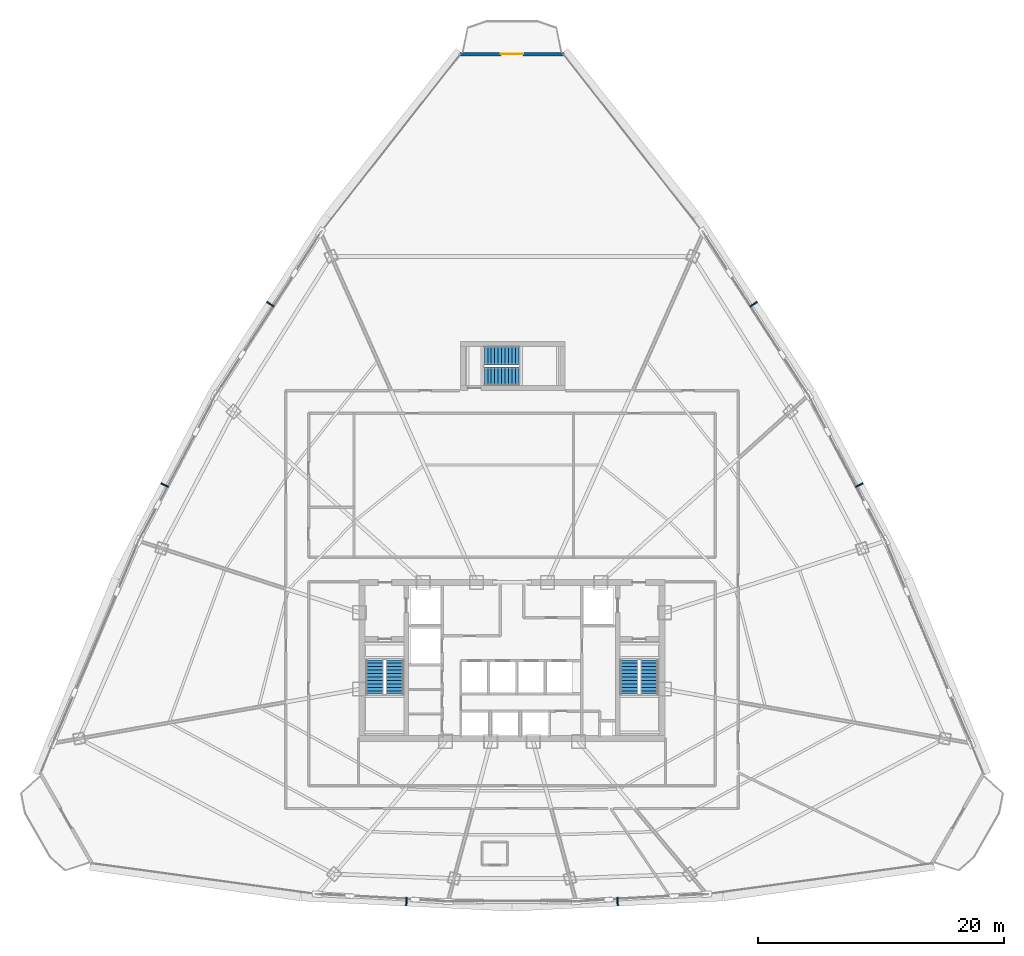
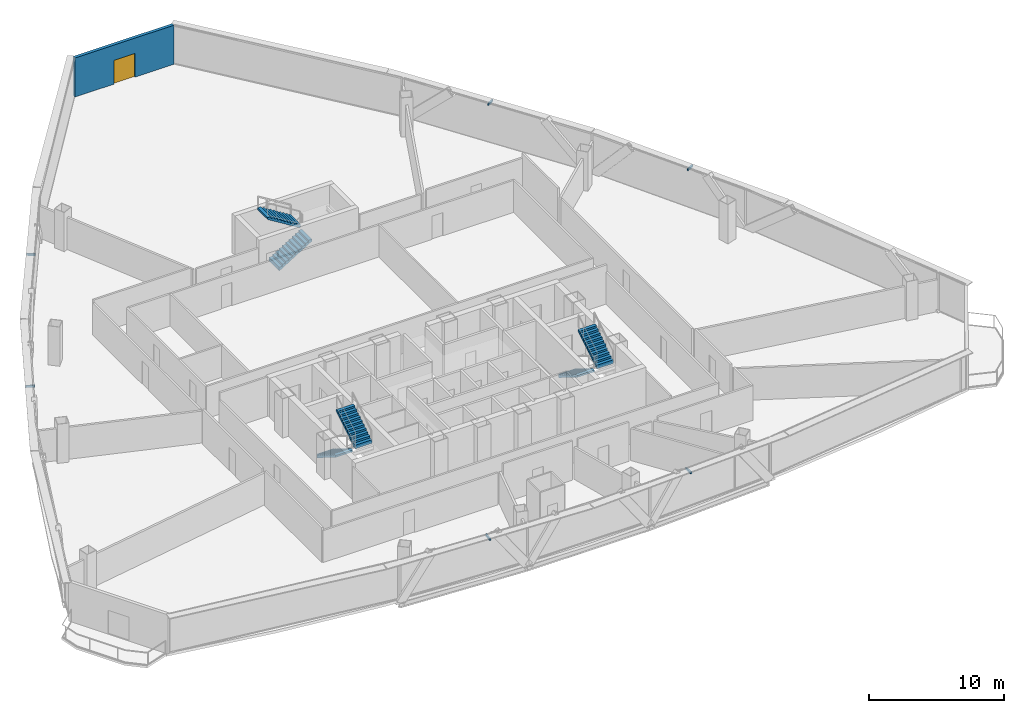
# One storey, part 33 of 37: 6 discrete accessories, 6 stair flights, 1 door, 1 wall, 1 opening, 3 elements without a shape of their own.
"""IFC4 building model written with IfcOpenShell, lengths in metres."""

from ifc_helpers import new_model, si_unit, direction, frame, frame_2d, origin, origin_with_axes, origin_2d, place, context, subcontext, project, spatial, polyline, rectangle, outline, extrude, source, transform, mapped, material, layer, layer_set, type_object, element, fill, aggregate, save


model = new_model("IFC4")

# Units and contexts
model_context = context("Model", 3, precision=1e-05, world=origin(), true_north=direction((0.0, 1.0)))
body_context = subcontext(model_context, "Body", "Model", "MODEL_VIEW")
ifc_project = project(units=[si_unit("LENGTHUNIT", "METRE"), si_unit("AREAUNIT", "SQUARE_METRE"), si_unit("VOLUMEUNIT", "CUBIC_METRE"), si_unit("PLANEANGLEUNIT", "RADIAN"), si_unit("MASSUNIT", "GRAM", prefix="KILO"), si_unit("THERMODYNAMICTEMPERATUREUNIT", "KELVIN"), si_unit("POWERUNIT", "WATT")], contexts=[model_context])

# Site, building, storey
site_placement = place(None, origin())
site = spatial("IfcSite", under=ifc_project, at=site_placement, CompositionType="ELEMENT")
building_placement = place(site_placement, origin())
building = spatial("IfcBuilding", under=site, at=building_placement, Name="Yunzhuo Pagoda Commons", CompositionType="ELEMENT")
storey_placement = place(building_placement, frame((0.0, 0.0, 192.360107421875)))
storey = spatial("IfcBuildingStorey", under=building, at=storey_placement, Name="L48", CompositionType="ELEMENT", Elevation=192.360107421875)

# Wall, opening, door
ifc_material_1 = material(Name="Precast concrete C40", Category="concrete")
ifc_layer = layer(ifc_material_1, 0.260009765625)
ifc_layer_set = layer_set([ifc_layer], Name="Precast concrete C40")
wall_type = type_object("IfcWallType", Name="W-BAL1 Corner Balcony Threshold Wall 260", PredefinedType="STANDARD", material=ifc_layer_set)
wall_placement = place(storey_placement, frame((52.25, 83.16748046875, 0.0), z_axis=(0.0, 0.0, 1.0), x_axis=(-1.0, 0.0, 0.0)))
wall = element("IfcWall", 1, at=wall_placement, inside=storey, type_object=wall_type, Name="L48 corner balcony wall V3", PredefinedType="STANDARD", context=body_context, shape_type="SweptSolid", body=[
    extrude(rectangle(XDim=8.5, YDim=0.260009765625, at=frame_2d((4.25, 0.0))), origin(), (0.0, 0.0, 1.0), 3.539794921875),
])
opening_placement = place(wall_placement, frame((3.35009765625, 0.0, 0.0)))
opening = element("IfcOpeningElement", 2, at=opening_placement, cuts=wall, Name="Opening D-BAL1", PredefinedType="OPENING", context=body_context, shape_type="SweptSolid", body=[
    extrude(rectangle(XDim=1.800048828125, YDim=2.14990234375, at=frame_2d((0.89990234375, 1.074951171875))), frame((0.0, 0.14013671875, 0.0), z_axis=(0.0, -1.0, 0.0), x_axis=(1.0, 0.0, 0.0)), (0.0, 0.0, 1.0), 0.280029296875),
])
ifc_material_2 = material(Name="Anodized aluminium frame and tempered glazed leaf", Category="aluminium")
door_type = type_object("IfcDoorType", Name="D-BAL1 Corner Balcony Sliding Glazed Door 1800x2150", OperationType="DOUBLE_DOOR_SLIDING", PredefinedType="DOOR", material=ifc_material_2)
shared_shape_1 = source(origin(), body_context, "Body", "SweptSolid", [
    extrude(rectangle(XDim=1.800048828125, YDim=2.14990234375, at=frame_2d((0.89990234375, 1.074951171875))), frame((0.0, 0.02490234375, 0.0), z_axis=(0.0, -1.0, 0.0), x_axis=(1.0, 0.0, 0.0)), (0.0, 0.0, 1.0), 0.050048828125),
])
door_placement = place(opening_placement, origin_with_axes())
door = element("IfcDoor", 3, at=door_placement, inside=storey, type_object=door_type, Name="L48 corner balcony sliding door V3", OperationType="DOUBLE_DOOR_SLIDING", OverallHeight=2.14990234375, OverallWidth=1.800048828125, PredefinedType="DOOR", context=body_context, shape_type="MappedRepresentation", body=[
    mapped(shared_shape_1, transform((0.0, 0.0, 0.0), scale=1.0)),
])
fill(opening, door)

# Stair, stair flights
ifc_material_3 = material(Name="Concrete C40", Category="concrete")
stair_type_1 = type_object("IfcStairType", Name="ST-C1 Core Smokeproof Stair ST1", PredefinedType="HALF_TURN_STAIR", material=ifc_material_3)
stair_1_placement = place(storey_placement, origin())
stair_1 = element("IfcStair", 4, at=stair_1_placement, inside=storey, type_object=stair_type_1, Name="L48 Core smokeproof stair ST1", PredefinedType="HALF_TURN_STAIR")
stair_flight_type_1 = type_object("IfcStairFlightType", Name="STF-C1 Core Stair Flight 1450", PredefinedType="STRAIGHT", material=ifc_material_3)
shared_shape_2 = source(origin(), body_context, "Body", "SweptSolid", [
    extrude(outline(polyline([(0.0, -0.14990234375), (0.0, 0.0), (0.0, 0.172607421875), (0.280029296875, 0.172607421875), (0.280029296875, 0.345458984375), (0.56005859375, 0.345458984375), (0.56005859375, 0.51806640625), (0.840087890625, 0.51806640625), (0.840087890625, 0.69091796875), (1.1201171875, 0.69091796875), (1.1201171875, 0.863525390625), (1.39990234375, 0.863525390625), (1.39990234375, 1.036376953125), (1.679931640625, 1.036376953125), (1.679931640625, 1.208984375), (1.9599609375, 1.208984375), (1.9599609375, 1.3818359375), (2.239990234375, 1.3818359375), (2.239990234375, 1.554443359375), (2.52001953125, 1.554443359375), (2.52001953125, 1.727294921875), (2.800048828125, 1.727294921875), (2.800048828125, 1.89990234375), (2.800048828125, 1.551025390625), (0.285400390625, 0.0), (0.050048828125, -0.14990234375), (0.0, -0.14990234375)])), frame((0.0, 0.72509765625, 0.0), z_axis=(0.0, -1.0, 0.0), x_axis=(1.0, 0.0, 0.0)), (0.0, 0.0, 1.0), 1.449951171875),
])
stair_flight_1_placement = place(storey_placement, frame((36.824951171875, 33.89990234375, 0.0), z_axis=(0.0, 0.0, 1.0), x_axis=(0.0, -1.0, 0.0)))
stair_flight_1 = element("IfcStairFlight", 5, at=stair_flight_1_placement, type_object=stair_flight_type_1, Name="ST1 flight 1", NumberOfRisers=11, NumberOfTreads=10, PredefinedType="STRAIGHT", RiserHeight=0.172727273, TreadLength=0.28, context=body_context, shape_type="MappedRepresentation", body=[
    mapped(shared_shape_2, transform((0.0, 0.0, 0.0), scale=1.0)),
])
stair_flight_2_placement = place(storey_placement, frame((38.47509765625, 31.10009765625, 1.89990234375), z_axis=(0.0, 0.0, 1.0), x_axis=(0.0, 1.0, 0.0)))
stair_flight_2 = element("IfcStairFlight", 6, at=stair_flight_2_placement, type_object=stair_flight_type_1, Name="ST1 flight 2", NumberOfRisers=11, NumberOfTreads=10, PredefinedType="STRAIGHT", RiserHeight=0.172727273, TreadLength=0.28, context=body_context, shape_type="MappedRepresentation", body=[
    mapped(shared_shape_2, transform((0.0, 0.0, 0.0), scale=1.0)),
])
aggregate(stair_1, [stair_flight_1, stair_flight_2])

stair_type_2 = type_object("IfcStairType", Name="ST-C2 Core Smokeproof Stair ST2", PredefinedType="HALF_TURN_STAIR", material=ifc_material_3)
stair_2_placement = place(storey_placement, origin())
stair_2 = element("IfcStair", 7, at=stair_2_placement, inside=storey, type_object=stair_type_2, Name="L48 Core smokeproof stair ST2", PredefinedType="HALF_TURN_STAIR")
stair_flight_type_2 = type_object("IfcStairFlightType", Name="STF-C2 Core Stair Flight 1460", PredefinedType="STRAIGHT", material=ifc_material_3)
stair_flight_3_placement = place(storey_placement, frame((57.52490234375, 33.89990234375, 0.0), z_axis=(0.0, 0.0, 1.0), x_axis=(0.0, -1.0, 0.0)))
stair_flight_3 = element("IfcStairFlight", 8, at=stair_flight_3_placement, type_object=stair_flight_type_2, Name="ST2 flight 1", NumberOfRisers=11, NumberOfTreads=10, PredefinedType="STRAIGHT", RiserHeight=0.172727273, TreadLength=0.28, context=body_context, shape_type="MappedRepresentation", body=[
    mapped(shared_shape_2, transform((0.0, 0.0, 0.0), scale=1.0)),
])
stair_flight_4_placement = place(storey_placement, frame((59.175048828125, 31.10009765625, 1.89990234375), z_axis=(0.0, 0.0, 1.0), x_axis=(0.0, 1.0, 0.0)))
stair_flight_4 = element("IfcStairFlight", 9, at=stair_flight_4_placement, type_object=stair_flight_type_2, Name="ST2 flight 2", NumberOfRisers=11, NumberOfTreads=10, PredefinedType="STRAIGHT", RiserHeight=0.172727273, TreadLength=0.28, context=body_context, shape_type="MappedRepresentation", body=[
    mapped(shared_shape_2, transform((0.0, 0.0, 0.0), scale=1.0)),
])
aggregate(stair_2, [stair_flight_3, stair_flight_4])

stair_type_3 = type_object("IfcStairType", Name="ST-C3 North Tower Smokeproof Stair ST3", PredefinedType="HALF_TURN_STAIR", material=ifc_material_3)
stair_3_placement = place(storey_placement, origin())
stair_3 = element("IfcStair", 10, at=stair_3_placement, inside=storey, type_object=stair_type_3, Name="L48 North tower smokeproof stair ST3", PredefinedType="HALF_TURN_STAIR")
stair_flight_type_3 = type_object("IfcStairFlightType", Name="STF-C3 North Stair Flight 1500", PredefinedType="STRAIGHT", material=ifc_material_3)
shared_shape_3 = source(origin(), body_context, "Body", "SweptSolid", [
    extrude(outline(polyline([(0.0, -0.14990234375), (0.0, 0.0), (0.0, 0.172607421875), (0.280029296875, 0.172607421875), (0.280029296875, 0.345458984375), (0.56005859375, 0.345458984375), (0.56005859375, 0.51806640625), (0.840087890625, 0.51806640625), (0.840087890625, 0.69091796875), (1.1201171875, 0.69091796875), (1.1201171875, 0.863525390625), (1.39990234375, 0.863525390625), (1.39990234375, 1.036376953125), (1.679931640625, 1.036376953125), (1.679931640625, 1.208984375), (1.9599609375, 1.208984375), (1.9599609375, 1.3818359375), (2.239990234375, 1.3818359375), (2.239990234375, 1.554443359375), (2.52001953125, 1.554443359375), (2.52001953125, 1.727294921875), (2.800048828125, 1.727294921875), (2.800048828125, 1.89990234375), (2.800048828125, 1.551025390625), (0.285400390625, 0.0), (0.050048828125, -0.14990234375), (0.0, -0.14990234375)])), frame((0.0, 0.75, 0.0), z_axis=(0.0, -1.0, 0.0), x_axis=(1.0, 0.0, 0.0)), (0.0, 0.0, 1.0), 1.5),
])
stair_flight_5_placement = place(storey_placement, frame((45.75, 56.949951171875, 0.0), z_axis=(0.0, 0.0, 1.0), x_axis=(1.0, 0.0, 0.0)))
stair_flight_5 = element("IfcStairFlight", 11, at=stair_flight_5_placement, type_object=stair_flight_type_3, Name="ST3 flight 1", NumberOfRisers=11, NumberOfTreads=10, PredefinedType="STRAIGHT", RiserHeight=0.172727273, TreadLength=0.28, context=body_context, shape_type="MappedRepresentation", body=[
    mapped(shared_shape_3, transform((0.0, 0.0, 0.0), scale=1.0)),
])
stair_flight_6_placement = place(storey_placement, frame((48.550048828125, 58.64990234375, 1.89990234375), z_axis=(0.0, 0.0, 1.0), x_axis=(-1.0, 0.0, 0.0)))
stair_flight_6 = element("IfcStairFlight", 12, at=stair_flight_6_placement, type_object=stair_flight_type_3, Name="ST3 flight 2", NumberOfRisers=11, NumberOfTreads=10, PredefinedType="STRAIGHT", RiserHeight=0.172727273, TreadLength=0.28, context=body_context, shape_type="MappedRepresentation", body=[
    mapped(shared_shape_3, transform((0.0, 0.0, 0.0), scale=1.0)),
])
aggregate(stair_3, [stair_flight_5, stair_flight_6])

# Discrete accessories
ifc_material_4 = material(Name="Anodized aluminium 6063-T6", Category="aluminium")
discrete_accessory_type = type_object("IfcDiscreteAccessoryType", Name="BK-SUN1 Sunshade Outrigger Bracket", PredefinedType="BRACKET", material=ifc_material_4)
shared_shape_4 = source(origin(), body_context, "Body", "SweptSolid", [
    extrude(rectangle(XDim=0.1201171875, YDim=0.679931640625, at=origin_2d()), origin(), (0.0, 0.0, 1.0), 0.179931640625),
])
for number, where, z_axis, x_axis, name in (
    (13, (39.408447265625, 14.227294921875, 3.330078125), (0.0, 0.0, 1.0), (0.998818043775, -0.04860571396, 0.0), "L48 sunshade outrigger bracket F1.2"),
    (14, (56.591552734375, 14.227294921875, 3.330078125), (0.0, 0.0, 1.0), (0.998818043775, 0.04860571396, 0.0), "L48 sunshade outrigger bracket F1.3"),
    (15, (76.256591796875, 48.109619140625, 3.330078125), (0.0, 0.0, 1.0), (-0.461206683033, 0.88729273384, 0.0), "L48 sunshade outrigger bracket F2.2"),
    (16, (67.6650390625, 62.827880859375, 3.330078125), (0.0, 0.0, 1.0), (-0.545838756973, 0.837890238269, 0.0), "L48 sunshade outrigger bracket F2.3"),
    (17, (28.3349609375, 62.827880859375, 3.330078125), (0.0, 0.0, 1.0), (-0.545838756973, -0.837890238269, 0.0), "L48 sunshade outrigger bracket F3.2"),
    (18, (19.743408203125, 48.109619140625, 3.330078125), (0.0, 0.0, 1.0), (-0.461206683033, -0.88729273384, 0.0), "L48 sunshade outrigger bracket F3.3"),
):
    element("IfcDiscreteAccessory", number, at=place(storey_placement, frame(where, z_axis=z_axis, x_axis=x_axis)), inside=storey, type_object=discrete_accessory_type, Name=name, PredefinedType="BRACKET", context=body_context, shape_type="MappedRepresentation", body=[
        mapped(shared_shape_4, transform((0.0, 0.0, 0.0), scale=1.0)),
    ])

save(model, "model.ifc")
